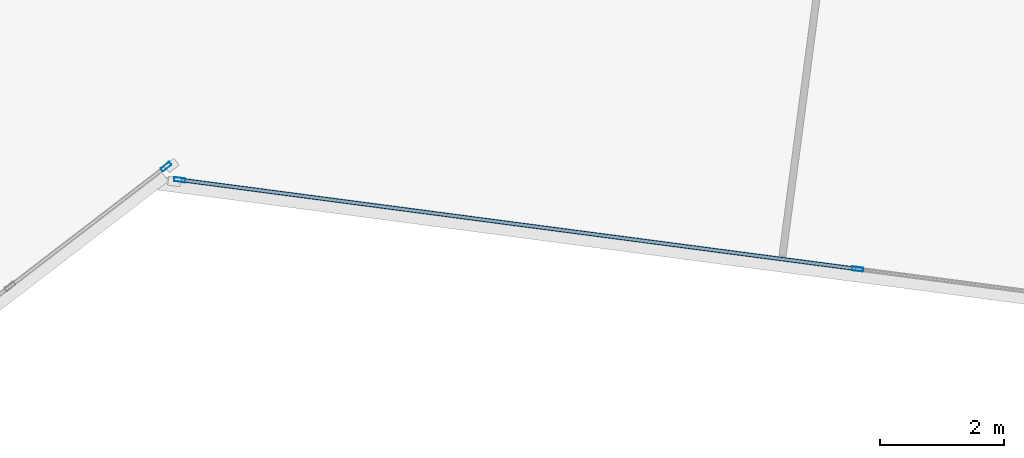
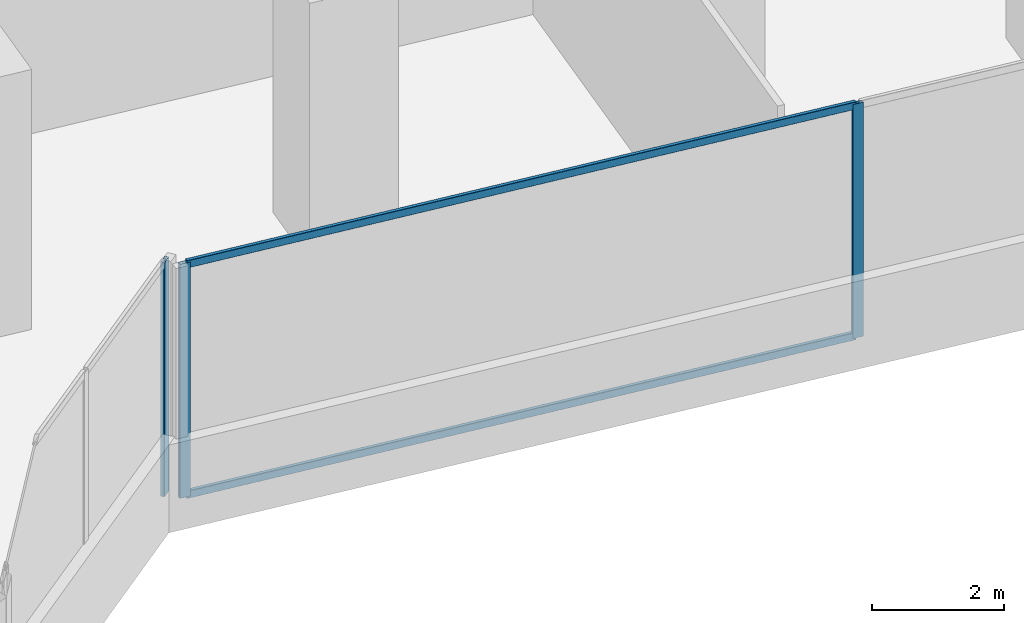
# One storey, part 9 of 24: 5 members, 2 elements without a shape of their own.
"""IFC4 building model written with IfcOpenShell, lengths in metres."""

from ifc_helpers import new_model, si_unit, direction, frame, origin, origin_2d, place, context, subcontext, project, spatial, hollow_rectangle, extrude, source, transform, mapped, material, material_profile, profile_set, type_object, element, aggregate, save


model = new_model("IFC4")

# Units and contexts
model_context = context("Model", 3, precision=1e-05, world=origin(), true_north=direction((0.0, 1.0)))
body_context = subcontext(model_context, "Body", "Model", "MODEL_VIEW")
ifc_project = project(units=[si_unit("LENGTHUNIT", "METRE"), si_unit("AREAUNIT", "SQUARE_METRE"), si_unit("VOLUMEUNIT", "CUBIC_METRE"), si_unit("PLANEANGLEUNIT", "RADIAN"), si_unit("MASSUNIT", "GRAM", prefix="KILO")], contexts=[model_context])

# Site, building, storey
site_placement = place(None, origin())
site = spatial("IfcSite", under=ifc_project, at=site_placement, CompositionType="ELEMENT")
building_placement = place(site_placement, origin())
building = spatial("IfcBuilding", under=site, at=building_placement, Name="Torre Montelarca", CompositionType="ELEMENT")
storey_placement = place(building_placement, frame((0.0, 0.0, 61.60009765625)))
storey = spatial("IfcBuildingStorey", under=building, at=storey_placement, Name="L13", CompositionType="ELEMENT", Elevation=61.60009765625)

# Curtain wall, members
ifc_material_1 = material(Name="Insulated low-E laminated glass", Category="glass")
curtain_wall_type = type_object("IfcCurtainWallType", Name="CW-SYS-Z1", PredefinedType="USERDEFINED", material=ifc_material_1)
curtain_wall_1_placement = place(storey_placement, origin())
curtain_wall_1 = element("IfcCurtainWall", 1, at=curtain_wall_1_placement, inside=storey, type_object=curtain_wall_type, Name="L13 Curtain Wall Run CW-T3-L13-E04-B1", ObjectType="UNITISED GLAZING", PredefinedType="USERDEFINED")
ifc_material_2 = material(Name="Anodised aluminium AA 6063-T6", Category="aluminium")
ifc_material_profile_1 = material_profile(ifc_material_2, hollow_rectangle(XDim=0.06494140625, YDim=0.139892578125, WallThickness=0.00390625, InnerFilletRadius=0.00390625, OuterFilletRadius=0.008056640625, at=origin_2d()), Name="ALU65X140X4", Category="aluminium")
ifc_profile_set_1 = profile_set([ifc_material_profile_1], Name="Anodised aluminium AA 6063-T6")
member_type_1 = type_object("IfcMemberType", Name="CWT-ALU140", PredefinedType="USERDEFINED", material=ifc_profile_set_1)
shared_shape_1 = source(origin(), body_context, "Body", "SweptSolid", [
    extrude(hollow_rectangle(XDim=0.06494140625, YDim=0.139892578125, WallThickness=0.00390625, InnerFilletRadius=0.00390625, OuterFilletRadius=0.008056640625, at=origin_2d()), origin(), (0.0, 0.0, 1.0), 10.94873046875),
])
member_1_placement = place(storey_placement, frame((35.288330078125, 16.396728515625, 0.032470703125), z_axis=(0.99144640037, -0.130514501852, 0.0), x_axis=(0.130514501852, 0.99144640037, 0.0)))
member_1 = element("IfcMember", 2, at=member_1_placement, type_object=member_type_1, Name="CW transom 1.1", ObjectType="TRANSOM", PredefinedType="USERDEFINED", context=body_context, shape_type="MappedRepresentation", body=[
    mapped(shared_shape_1, transform((0.0, 0.0, 0.0), scale=1.0)),
])
member_2_placement = place(storey_placement, frame((35.288330078125, 16.396728515625, 4.287353515625), z_axis=(0.99144640037, -0.130514501852, 0.0), x_axis=(0.130514501852, 0.99144640037, 0.0)))
member_2 = element("IfcMember", 3, at=member_2_placement, type_object=member_type_1, Name="CW transom 1.2", ObjectType="TRANSOM", PredefinedType="USERDEFINED", context=body_context, shape_type="MappedRepresentation", body=[
    mapped(shared_shape_1, transform((0.0, 0.0, 0.0), scale=1.0)),
])

# Curtain wall, member
curtain_wall_2_placement = place(storey_placement, origin())
curtain_wall_2 = element("IfcCurtainWall", 4, at=curtain_wall_2_placement, inside=storey, type_object=curtain_wall_type, Name="L13 Curtain Wall Run CW-T3-L13-E02-B1", ObjectType="UNITISED GLAZING", PredefinedType="USERDEFINED")
ifc_material_profile_2 = material_profile(ifc_material_2, hollow_rectangle(XDim=0.06494140625, YDim=0.179931640625, WallThickness=0.00390625, InnerFilletRadius=0.00390625, OuterFilletRadius=0.008056640625, at=origin_2d()), Name="ALU65X180X4", Category="aluminium")
ifc_profile_set_2 = profile_set([ifc_material_profile_2], Name="Anodised aluminium AA 6063-T6")
member_type_2 = type_object("IfcMemberType", Name="CWM-ALU180", PredefinedType="MULLION", material=ifc_profile_set_2)
shared_shape_2 = source(origin(), body_context, "Body", "SweptSolid", [
    extrude(hollow_rectangle(XDim=0.06494140625, YDim=0.179931640625, WallThickness=0.00390625, InnerFilletRadius=0.00390625, OuterFilletRadius=0.008056640625, at=origin_2d()), origin(), (0.0, 0.0, 1.0), 4.31982421875),
])
member_3_placement = place(storey_placement, frame((35.03515625, 16.61328125, 0.0), z_axis=(0.0, 0.0, 1.0), x_axis=(-0.608756578814, 0.793357061953, 0.0)))
member_3 = element("IfcMember", 5, at=member_3_placement, type_object=member_type_2, Name="CW mullion 3", PredefinedType="MULLION", context=body_context, shape_type="MappedRepresentation", body=[
    mapped(shared_shape_2, transform((0.0, 0.0, 0.0), scale=1.0)),
])
aggregate(curtain_wall_2, [member_3])

# Member
member_4_placement = place(storey_placement, frame((35.256103515625, 16.40087890625, 0.0), z_axis=(0.0, 0.0, 1.0), x_axis=(0.130520668339, 0.991445588591, 0.0)))
member_4 = element("IfcMember", 6, at=member_4_placement, type_object=member_type_2, Name="CW mullion 1", PredefinedType="MULLION", context=body_context, shape_type="MappedRepresentation", body=[
    mapped(shared_shape_2, transform((0.0, 0.0, 0.0), scale=1.0)),
])

member_5_placement = place(storey_placement, frame((46.175537109375, 14.96337890625, 0.0), z_axis=(0.0, 0.0, 1.0), x_axis=(0.130520668339, 0.991445588591, 0.0)))
member_5 = element("IfcMember", 7, at=member_5_placement, type_object=member_type_2, Name="CW mullion 2", PredefinedType="MULLION", context=body_context, shape_type="MappedRepresentation", body=[
    mapped(shared_shape_2, transform((0.0, 0.0, 0.0), scale=1.0)),
])

aggregate(curtain_wall_1, [member_4, member_5, member_1, member_2])

save(model, "model.ifc")
